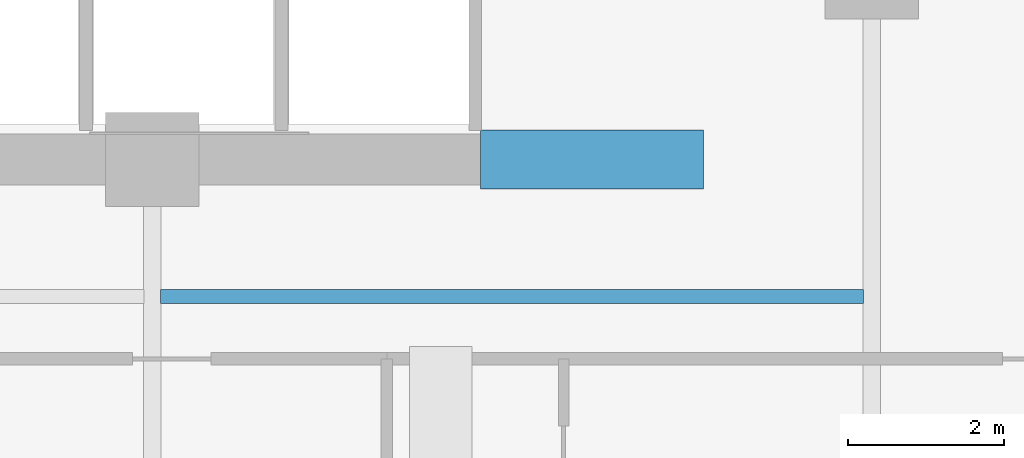
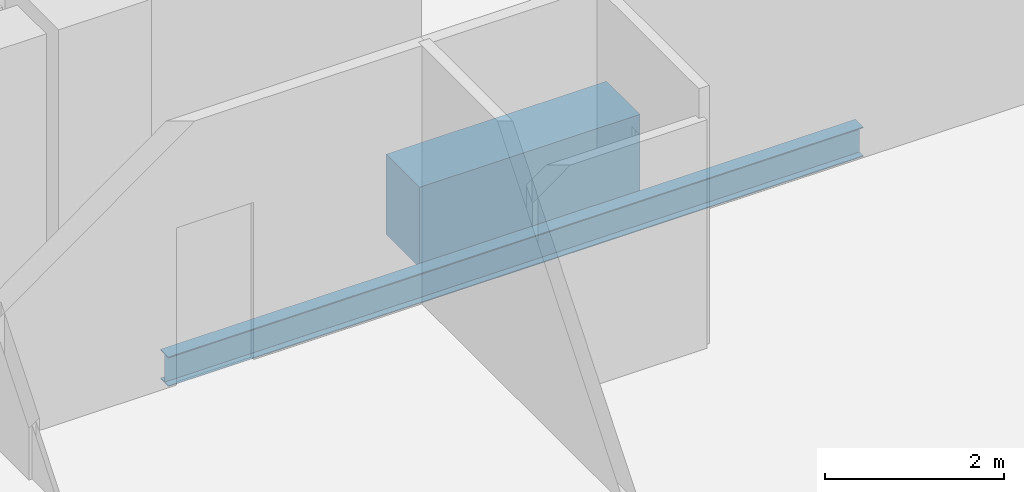
# One storey, part 13 of 33: 2 beams.
"""IFC4 building model written with IfcOpenShell, lengths in metres."""

from ifc_helpers import new_model, si_unit, direction, frame, origin, origin_2d, place, context, subcontext, project, spatial, rectangle, i_section, extrude, material, material_profile, profile_set, type_object, element, save


model = new_model("IFC4")

# Units and contexts
model_context = context("Model", 3, precision=1e-05, world=origin(), true_north=direction((0.0, 1.0)))
body_context = subcontext(model_context, "Body", "Model", "MODEL_VIEW")
ifc_project = project(units=[si_unit("LENGTHUNIT", "METRE"), si_unit("AREAUNIT", "SQUARE_METRE"), si_unit("VOLUMEUNIT", "CUBIC_METRE"), si_unit("PLANEANGLEUNIT", "RADIAN"), si_unit("MASSUNIT", "GRAM", prefix="KILO")], contexts=[model_context])

# Site, building, storey
site_placement = place(None, origin())
site = spatial("IfcSite", under=ifc_project, at=site_placement, CompositionType="ELEMENT")
building_placement = place(site_placement, origin())
building = spatial("IfcBuilding", under=site, at=building_placement, Name="Zuhayl Quay Hotel", CompositionType="ELEMENT")
storey_placement = place(building_placement, frame((0.0, 0.0, 207.39990234375)))
storey = spatial("IfcBuildingStorey", under=building, at=storey_placement, Name="L52", CompositionType="ELEMENT", Elevation=207.39990234375)

# Beams
ifc_material_1 = material(Name="Concrete C60/75", Category="concrete")
ifc_material_profile_1 = material_profile(ifc_material_1, rectangle(XDim=0.75, YDim=1.10009765625, at=origin_2d()), Name="RC750X1100")
ifc_profile_set_1 = profile_set([ifc_material_profile_1], Name="Concrete C60/75")
beam_type_1 = type_object("IfcBeamType", Name="BM_CB2_RC750", PredefinedType="T_BEAM", material=ifc_profile_set_1)
beam_1_placement = place(storey_placement, frame((8.800048828125, 2.14990234375, -0.77001953125), z_axis=(1.0, 0.0, 0.0), x_axis=(0.0, 1.0, 0.0)))
element("IfcBeam", 1, at=beam_1_placement, inside=storey, type_object=beam_type_1, Name="L52 Core Coupling Beam SE", PredefinedType="T_BEAM", context=body_context, shape_type="SweptSolid", body=[
    extrude(rectangle(XDim=0.75, YDim=1.10009765625, at=origin_2d()), origin(), (0.0, 0.0, 1.0), 2.849853515625),
])
ifc_material_2 = material(Name="Steel ASTM A992 Grade 50", Category="steel")
ifc_material_profile_2 = material_profile(ifc_material_2, i_section(OverallWidth=0.177978515625, OverallDepth=0.406005859375, WebThickness=0.0078125, FlangeThickness=0.0126953125, at=origin_2d()), Name="W16X40")
ifc_profile_set_2 = profile_set([ifc_material_profile_2], Name="Steel ASTM A992 Grade 50")
beam_type_2 = type_object("IfcBeamType", Name="BM_J2B_W16X40", PredefinedType="JOIST", material=ifc_profile_set_2)
beam_2_placement = place(storey_placement, frame((4.7060546875, 0.39990234375, -0.4228515625), z_axis=(1.0, 0.0, 0.0), x_axis=(0.0, 1.0, 0.0)))
element("IfcBeam", 2, at=beam_2_placement, inside=storey, type_object=beam_type_2, Name="L52 Floor Beam FJ_L52_8_3", PredefinedType="JOIST", context=body_context, shape_type="SweptSolid", body=[
    extrude(i_section(OverallWidth=0.177978515625, OverallDepth=0.406005859375, WebThickness=0.0078125, FlangeThickness=0.0126953125, at=origin_2d()), origin(), (0.0, 0.0, 1.0), 8.988037109375),
])

save(model, "model.ifc")
